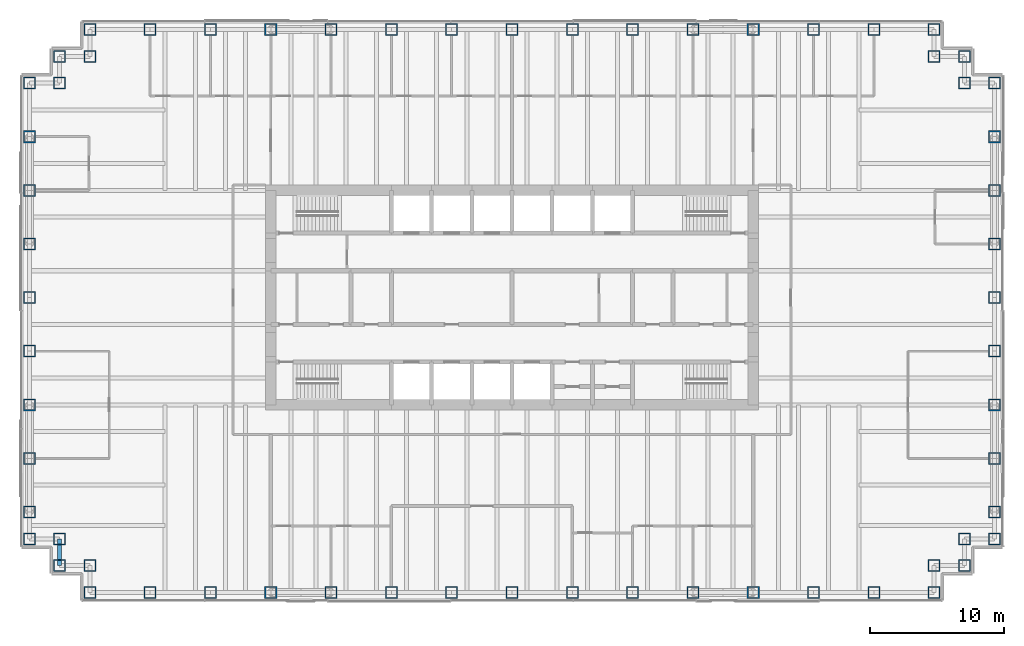
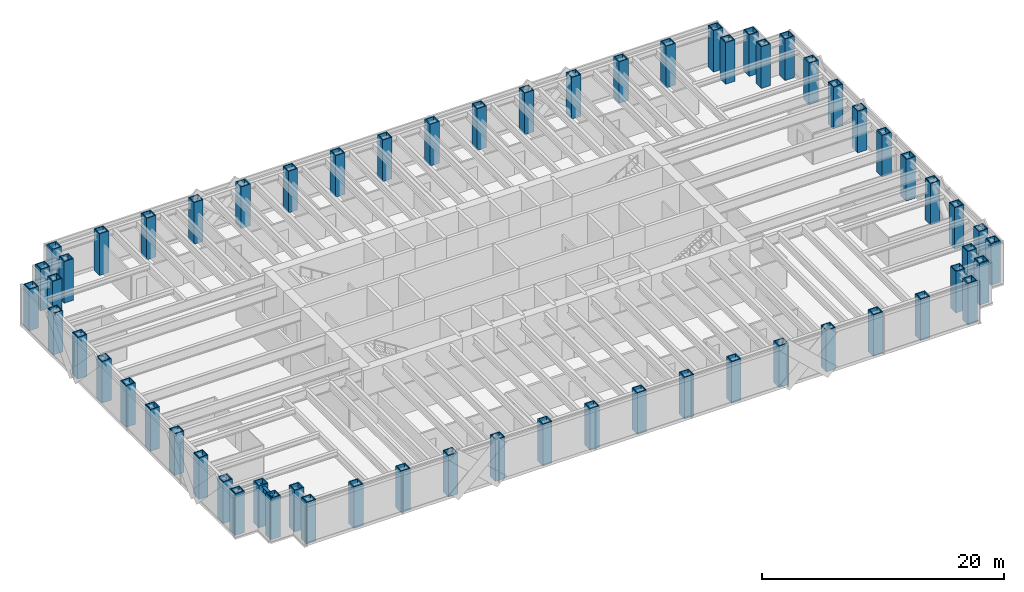
# One storey, part 1 of 17: 62 columns, 1 beam.
"""IFC4 building model written with IfcOpenShell, lengths in metres."""

from ifc_helpers import new_model, si_unit, direction, frame, origin, origin_2d, place, context, subcontext, project, spatial, hollow_rectangle, i_section, extrude, material, material_profile, profile_set, type_object, element, save


model = new_model("IFC4")

# Units and contexts
model_context = context("Model", 3, precision=1e-05, world=origin(), true_north=direction((0.0, 1.0)))
body_context = subcontext(model_context, "Body", "Model", "MODEL_VIEW")
ifc_project = project(units=[si_unit("LENGTHUNIT", "METRE"), si_unit("AREAUNIT", "SQUARE_METRE"), si_unit("VOLUMEUNIT", "CUBIC_METRE"), si_unit("PLANEANGLEUNIT", "RADIAN"), si_unit("MASSUNIT", "GRAM", prefix="KILO")], contexts=[model_context])

# Site, building, storey
site_placement = place(None, origin())
site = spatial("IfcSite", under=ifc_project, at=site_placement, CompositionType="ELEMENT")
building_placement = place(site_placement, origin())
building = spatial("IfcBuilding", under=site, at=building_placement, Name="Rheinbord Bourse Tower", CompositionType="ELEMENT")
storey_placement = place(building_placement, frame((0.0, 0.0, 227.800048828125)))
storey = spatial("IfcBuildingStorey", under=building, at=storey_placement, Name="L51", CompositionType="ELEMENT", Elevation=227.800048828125)

# Columns
ifc_material_1 = material(Name="Steel S460M", Category="steel")
ifc_material_profile_1 = material_profile(ifc_material_1, hollow_rectangle(XDim=0.89990234375, YDim=0.89990234375, WallThickness=0.080078125, at=origin_2d()), Name="BOX 900x900x80")
ifc_profile_set_1 = profile_set([ifc_material_profile_1], Name="Steel S460M")
column_type = type_object("IfcColumnType", Name="TUBE COLUMN BOX 900x900x80", PredefinedType="COLUMN", material=ifc_profile_set_1)
for number, where, z_axis, x_axis, name in (
    (1, (4.5, 2.0, 0.0), (0.0, 0.0, 1.0), (0.0, 1.0, 0.0), "Column SW-E L51"),
    (2, (9.0, 2.0, 0.0), (0.0, 0.0, 1.0), (0.0, 1.0, 0.0), "Column S-9 L51"),
    (3, (13.5, 2.0, 0.0), (0.0, 0.0, 1.0), (0.0, 1.0, 0.0), "Column S-13.5 L51"),
    (4, (18.0, 2.0, 0.0), (0.0, 0.0, 1.0), (0.0, 1.0, 0.0), "Column S-18 L51"),
    (5, (22.5, 2.0, 0.0), (0.0, 0.0, 1.0), (0.0, 1.0, 0.0), "Column S-22.5 L51"),
    (6, (27.0, 2.0, 0.0), (0.0, 0.0, 1.0), (0.0, 1.0, 0.0), "Column S-27 L51"),
    (7, (31.5, 2.0, 0.0), (0.0, 0.0, 1.0), (0.0, 1.0, 0.0), "Column S-31.5 L51"),
    (8, (36.0, 2.0, 0.0), (0.0, 0.0, 1.0), (0.0, 1.0, 0.0), "Column S-36 L51"),
    (9, (40.5, 2.0, 0.0), (0.0, 0.0, 1.0), (0.0, 1.0, 0.0), "Column S-40.5 L51"),
    (10, (45.0, 2.0, 0.0), (0.0, 0.0, 1.0), (0.0, 1.0, 0.0), "Column S-45 L51"),
    (11, (49.5, 2.0, 0.0), (0.0, 0.0, 1.0), (0.0, 1.0, 0.0), "Column S-49.5 L51"),
    (12, (54.0, 2.0, 0.0), (0.0, 0.0, 1.0), (0.0, 1.0, 0.0), "Column S-54 L51"),
    (13, (58.5, 2.0, 0.0), (0.0, 0.0, 1.0), (0.0, 1.0, 0.0), "Column S-58.5 L51"),
    (14, (63.0, 2.0, 0.0), (0.0, 0.0, 1.0), (0.0, 1.0, 0.0), "Column S-63 L51"),
    (15, (67.5, 2.0, 0.0), (0.0, 0.0, 1.0), (0.0, 1.0, 0.0), "Column SE-E L51"),
    (16, (67.5, 4.0, 0.0), (0.0, 0.0, 1.0), (0.0, 1.0, 0.0), "Column SE-D L51"),
    (17, (69.75, 4.0, 0.0), (0.0, 0.0, 1.0), (1.0, 0.0, 0.0), "Column SE-C L51"),
    (18, (69.75, 6.0, 0.0), (0.0, 0.0, 1.0), (1.0, 0.0, 0.0), "Column SE-B L51"),
    (19, (72.0, 6.0, 0.0), (0.0, 0.0, 1.0), (1.0, 0.0, 0.0), "Column SE-A L51"),
    (20, (72.0, 8.0, 0.0), (0.0, 0.0, 1.0), (1.0, 0.0, 0.0), "Column E-8 L51"),
    (21, (72.0, 12.0, 0.0), (0.0, 0.0, 1.0), (1.0, 0.0, 0.0), "Column E-12 L51"),
    (22, (72.0, 16.0, 0.0), (0.0, 0.0, 1.0), (1.0, 0.0, 0.0), "Column E-16 L51"),
    (23, (72.0, 20.0, 0.0), (0.0, 0.0, 1.0), (1.0, 0.0, 0.0), "Column E-20 L51"),
    (24, (72.0, 24.0, 0.0), (0.0, 0.0, 1.0), (1.0, 0.0, 0.0), "Column E-24 L51"),
    (25, (72.0, 28.0, 0.0), (0.0, 0.0, 1.0), (1.0, 0.0, 0.0), "Column E-28 L51"),
    (26, (72.0, 32.0, 0.0), (0.0, 0.0, 1.0), (1.0, 0.0, 0.0), "Column E-32 L51"),
    (27, (72.0, 36.0, 0.0), (0.0, 0.0, 1.0), (1.0, 0.0, 0.0), "Column E-36 L51"),
    (28, (72.0, 40.0, 0.0), (0.0, 0.0, 1.0), (1.0, 0.0, 0.0), "Column NE-A L51"),
    (29, (69.75, 40.0, 0.0), (0.0, 0.0, 1.0), (1.0, 0.0, 0.0), "Column NE-B L51"),
    (30, (69.75, 42.0, 0.0), (0.0, 0.0, 1.0), (1.0, 0.0, 0.0), "Column NE-C L51"),
    (31, (67.5, 42.0, 0.0), (0.0, 0.0, 1.0), (0.0, 1.0, 0.0), "Column NE-D L51"),
    (32, (67.5, 44.0, 0.0), (0.0, 0.0, 1.0), (0.0, 1.0, 0.0), "Column NE-E L51"),
    (33, (63.0, 44.0, 0.0), (0.0, 0.0, 1.0), (0.0, 1.0, 0.0), "Column N-63 L51"),
    (34, (58.5, 44.0, 0.0), (0.0, 0.0, 1.0), (0.0, 1.0, 0.0), "Column N-58.5 L51"),
    (35, (54.0, 44.0, 0.0), (0.0, 0.0, 1.0), (0.0, 1.0, 0.0), "Column N-54 L51"),
    (36, (49.5, 44.0, 0.0), (0.0, 0.0, 1.0), (0.0, 1.0, 0.0), "Column N-49.5 L51"),
    (37, (45.0, 44.0, 0.0), (0.0, 0.0, 1.0), (0.0, 1.0, 0.0), "Column N-45 L51"),
    (38, (40.5, 44.0, 0.0), (0.0, 0.0, 1.0), (0.0, 1.0, 0.0), "Column N-40.5 L51"),
    (39, (36.0, 44.0, 0.0), (0.0, 0.0, 1.0), (0.0, 1.0, 0.0), "Column N-36 L51"),
    (40, (31.5, 44.0, 0.0), (0.0, 0.0, 1.0), (0.0, 1.0, 0.0), "Column N-31.5 L51"),
    (41, (27.0, 44.0, 0.0), (0.0, 0.0, 1.0), (0.0, 1.0, 0.0), "Column N-27 L51"),
    (42, (22.5, 44.0, 0.0), (0.0, 0.0, 1.0), (0.0, 1.0, 0.0), "Column N-22.5 L51"),
    (43, (18.0, 44.0, 0.0), (0.0, 0.0, 1.0), (0.0, 1.0, 0.0), "Column N-18 L51"),
    (44, (13.5, 44.0, 0.0), (0.0, 0.0, 1.0), (0.0, 1.0, 0.0), "Column N-13.5 L51"),
    (45, (9.0, 44.0, 0.0), (0.0, 0.0, 1.0), (0.0, 1.0, 0.0), "Column N-9 L51"),
    (46, (4.5, 44.0, 0.0), (0.0, 0.0, 1.0), (0.0, 1.0, 0.0), "Column NW-E L51"),
    (47, (4.5, 42.0, 0.0), (0.0, 0.0, 1.0), (0.0, 1.0, 0.0), "Column NW-D L51"),
    (48, (2.25, 42.0, 0.0), (0.0, 0.0, 1.0), (1.0, 0.0, 0.0), "Column NW-C L51"),
    (49, (2.25, 40.0, 0.0), (0.0, 0.0, 1.0), (1.0, 0.0, 0.0), "Column NW-B L51"),
    (50, (0.0, 40.0, 0.0), (0.0, 0.0, 1.0), (1.0, 0.0, 0.0), "Column NW-A L51"),
    (51, (0.0, 36.0, 0.0), (0.0, 0.0, 1.0), (1.0, 0.0, 0.0), "Column W-36 L51"),
    (52, (0.0, 32.0, 0.0), (0.0, 0.0, 1.0), (1.0, 0.0, 0.0), "Column W-32 L51"),
    (53, (0.0, 28.0, 0.0), (0.0, 0.0, 1.0), (1.0, 0.0, 0.0), "Column W-28 L51"),
    (54, (0.0, 24.0, 0.0), (0.0, 0.0, 1.0), (1.0, 0.0, 0.0), "Column W-24 L51"),
    (55, (0.0, 20.0, 0.0), (0.0, 0.0, 1.0), (1.0, 0.0, 0.0), "Column W-20 L51"),
    (56, (0.0, 16.0, 0.0), (0.0, 0.0, 1.0), (1.0, 0.0, 0.0), "Column W-16 L51"),
    (57, (0.0, 12.0, 0.0), (0.0, 0.0, 1.0), (1.0, 0.0, 0.0), "Column W-12 L51"),
    (58, (0.0, 8.0, 0.0), (0.0, 0.0, 1.0), (1.0, 0.0, 0.0), "Column W-8 L51"),
    (59, (0.0, 6.0, 0.0), (0.0, 0.0, 1.0), (1.0, 0.0, 0.0), "Column SW-A L51"),
    (60, (2.25, 6.0, 0.0), (0.0, 0.0, 1.0), (1.0, 0.0, 0.0), "Column SW-B L51"),
    (61, (2.25, 4.0, 0.0), (0.0, 0.0, 1.0), (1.0, 0.0, 0.0), "Column SW-C L51"),
    (62, (4.5, 4.0, 0.0), (0.0, 0.0, 1.0), (0.0, 1.0, 0.0), "Column SW-D L51"),
):
    element("IfcColumn", number, at=place(storey_placement, frame(where, z_axis=z_axis, x_axis=x_axis)), inside=storey, type_object=column_type, Name=name, PredefinedType="COLUMN", context=body_context, shape_type="SweptSolid", body=[
        extrude(hollow_rectangle(XDim=0.89990234375, YDim=0.89990234375, WallThickness=0.080078125, at=origin_2d()), origin(), (0.0, 0.0, 1.0), 4.199951171875),
    ])

# Beam
ifc_material_2 = material(Name="Steel S460", Category="steel")
ifc_material_profile_2 = material_profile(ifc_material_2, i_section(OverallWidth=0.300048828125, OverallDepth=0.60009765625, WebThickness=0.015380859375, FlangeThickness=0.030029296875, at=origin_2d()), Name="HEB 600")
ifc_profile_set_2 = profile_set([ifc_material_profile_2], Name="Steel S460")
beam_type = type_object("IfcBeamType", Name="SPANDREL HEB 600", PredefinedType="SPANDREL", material=ifc_profile_set_2)
beam_placement = place(storey_placement, frame((2.25, 6.0, 3.739990234375), z_axis=(0.0, -1.0, 0.0), x_axis=(1.0, 0.0, 0.0)))
element("IfcBeam", 63, at=beam_placement, inside=storey, type_object=beam_type, Name="Spandrel SW-B-SW-C under L52", PredefinedType="SPANDREL", context=body_context, shape_type="SweptSolid", body=[
    extrude(i_section(OverallWidth=0.300048828125, OverallDepth=0.60009765625, WebThickness=0.015380859375, FlangeThickness=0.030029296875, at=origin_2d()), origin(), (0.0, 0.0, 1.0), 2.0),
])

save(model, "model.ifc")
